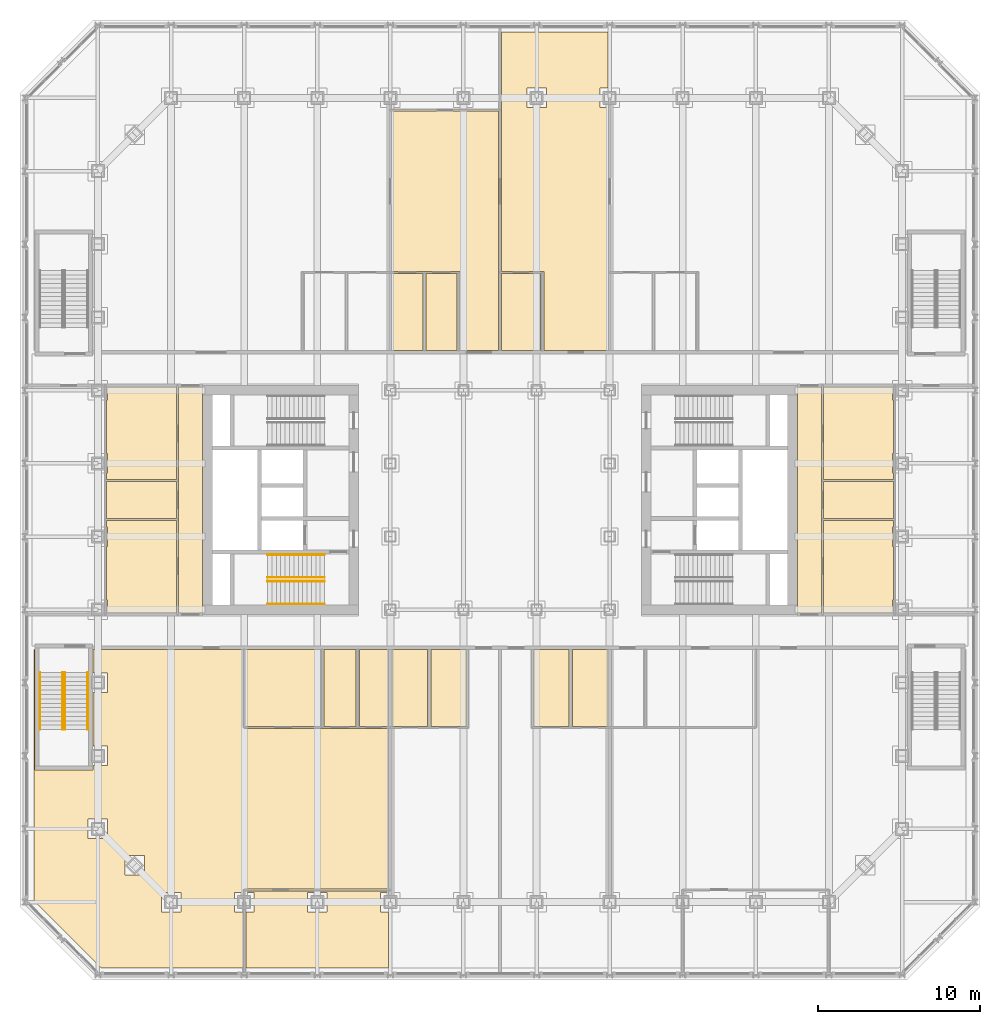
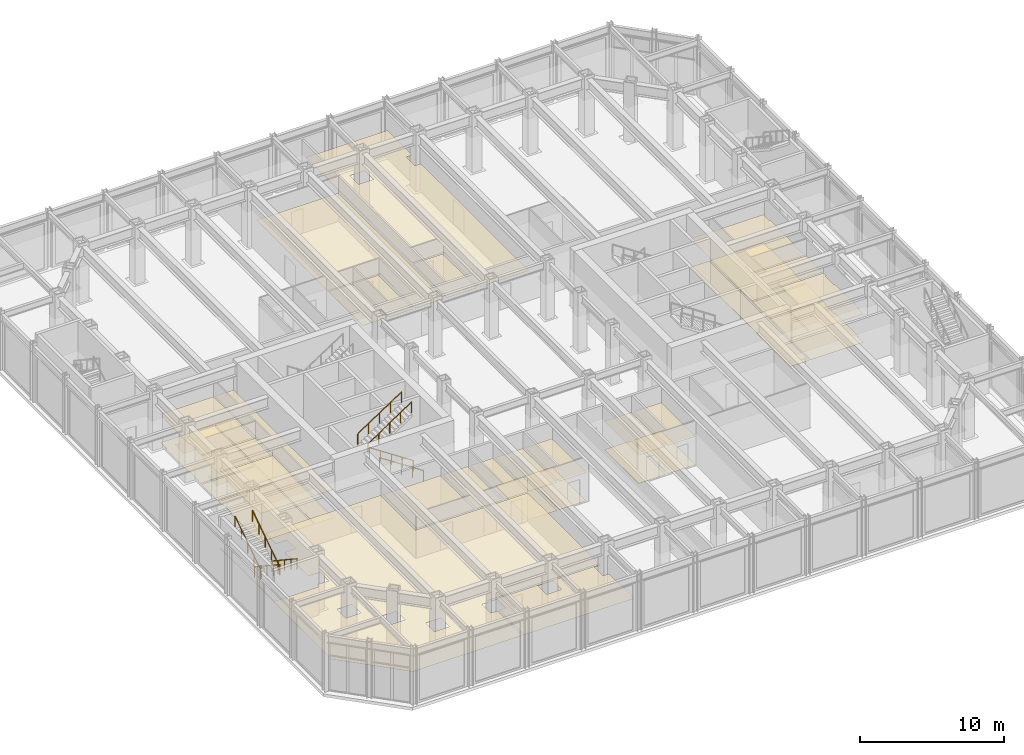
# One storey, part 17 of 19: 8 railings, 3 coverings.
"""IFC4 building model written with IfcOpenShell, lengths in metres."""

from ifc_helpers import new_model, si_unit, direction, frame, origin, origin_2d, place, context, subcontext, project, spatial, line, indexed_curve, circle, outline, extrude, material, layer, layer_set, type_object, element, save


model = new_model("IFC4")

# Units and contexts
model_context = context("Model", 3, precision=1e-05, world=origin(), true_north=direction((0.0, 1.0)))
body_context = subcontext(model_context, "Body", "Model", "MODEL_VIEW")
ifc_project = project(units=[si_unit("LENGTHUNIT", "METRE"), si_unit("AREAUNIT", "SQUARE_METRE"), si_unit("VOLUMEUNIT", "CUBIC_METRE"), si_unit("PLANEANGLEUNIT", "RADIAN"), si_unit("MASSUNIT", "GRAM", prefix="KILO")], contexts=[model_context])

# Site, building, storey
site_placement = place(None, origin())
site = spatial("IfcSite", under=ifc_project, at=site_placement, CompositionType="ELEMENT")
building_placement = place(site_placement, origin())
building = spatial("IfcBuilding", under=site, at=building_placement, Name="Msasa Ring Tower", CompositionType="ELEMENT")
storey_placement = place(building_placement, frame((0.0, 0.0, 11.0)))
storey = spatial("IfcBuildingStorey", under=building, at=storey_placement, Name="L02", CompositionType="ELEMENT", Elevation=11.0)

# Coverings
ifc_material_1 = material(Name="Moisture-resistant gypsum plasterboard on a steel suspension grid", Category="steel")
ifc_layer_1 = layer(ifc_material_1, 0.014892578125)
ifc_layer_set_1 = layer_set([ifc_layer_1], Name="C2 MOISTURE-RESISTANT PLASTERBOARD CEILING 15")
covering_type_1 = type_object("IfcCoveringType", Name="C2 MOISTURE-RESISTANT PLASTERBOARD CEILING 15", PredefinedType="CEILING", material=ifc_layer_set_1)
covering_1_placement = place(storey_placement, frame((0.0, 0.0, 2.39990234375)))
element("IfcCovering", 1, at=covering_1_placement, inside=storey, type_object=covering_type_1, Name="Moisture-Resistant Plasterboard Ceiling 15 L02", PredefinedType="CEILING", context=body_context, shape_type="SweptSolid", body=[
    extrude(outline(indexed_curve([(-24.239501953125, -2.8505859375), (-24.1494140625, -2.8505859375), (-24.1494140625, -1.6494140625), (-24.239501953125, -1.6494140625), (-24.239501953125, -1.255615234375), (-19.905517578125, -1.255615234375), (-19.905517578125, -6.949462890625), (-24.1494140625, -6.949462890625), (-24.1494140625, -6.1494140625), (-24.239501953125, -6.1494140625)], segments=[line(1, 2, 3, 4, 5, 6, 7, 8, 9, 10, 1)], self_intersect=False)), origin(), (0.0, 0.0, 1.0), 0.01513671875),
    extrude(outline(indexed_curve([(-24.239501953125, -1.14453125), (-24.239501953125, 1.14453125), (-19.905517578125, 1.14453125), (-19.905517578125, -1.14453125)], segments=[line(1, 2, 3, 4, 1)], self_intersect=False)), origin(), (0.0, 0.0, 1.0), 0.01513671875),
    extrude(outline(indexed_curve([(-24.239501953125, 1.6494140625), (-24.1494140625, 1.6494140625), (-24.1494140625, 2.8505859375), (-24.239501953125, 2.8505859375), (-24.239501953125, 6.1494140625), (-24.1494140625, 6.1494140625), (-24.1494140625, 6.949462890625), (-19.905517578125, 6.949462890625), (-19.905517578125, 1.255615234375), (-24.239501953125, 1.255615234375)], segments=[line(1, 2, 3, 4, 5, 6, 7, 8, 9, 10, 1)], self_intersect=False)), origin(), (0.0, 0.0, 1.0), 0.01513671875),
    extrude(outline(indexed_curve([(-19.79443359375, 6.949462890625), (-18.300537109375, 6.949462890625), (-18.300537109375, -6.949462890625), (-19.79443359375, -6.949462890625)], segments=[line(1, 2, 3, 4, 1)], self_intersect=False)), origin(), (0.0, 0.0, 1.0), 0.01513671875),
    extrude(outline(indexed_curve([(-6.6494140625, -13.939453125), (-6.6494140625, -9.200439453125), (-4.450439453125, -9.200439453125), (-4.450439453125, -13.939453125)], segments=[line(1, 2, 3, 4, 1)], self_intersect=False)), origin(), (0.0, 0.0, 1.0), 0.01513671875),
    extrude(outline(indexed_curve([(-4.24951171875, -9.200439453125), (-2.1005859375, -9.200439453125), (-2.1005859375, -13.939453125), (-4.24951171875, -13.939453125)], segments=[line(1, 2, 3, 4, 1)], self_intersect=False)), origin(), (0.0, 0.0, 1.0), 0.01513671875),
    extrude(outline(indexed_curve([(2.1005859375, -13.939453125), (2.1005859375, -9.200439453125), (4.24951171875, -9.200439453125), (4.24951171875, -13.939453125)], segments=[line(1, 2, 3, 4, 1)], self_intersect=False)), origin(), (0.0, 0.0, 1.0), 0.01513671875),
    extrude(outline(indexed_curve([(4.450439453125, -9.200439453125), (6.6494140625, -9.200439453125), (6.6494140625, -13.939453125), (4.450439453125, -13.939453125)], segments=[line(1, 2, 3, 4, 1)], self_intersect=False)), origin(), (0.0, 0.0, 1.0), 0.01513671875),
    extrude(outline(indexed_curve([(18.300537109375, -6.949462890625), (18.300537109375, 6.949462890625), (19.79443359375, 6.949462890625), (19.79443359375, -6.949462890625)], segments=[line(1, 2, 3, 4, 1)], self_intersect=False)), origin(), (0.0, 0.0, 1.0), 0.01513671875),
    extrude(outline(indexed_curve([(19.905517578125, -1.255615234375), (24.239501953125, -1.255615234375), (24.239501953125, -1.6494140625), (24.1494140625, -1.6494140625), (24.1494140625, -2.8505859375), (24.239501953125, -2.8505859375), (24.239501953125, -6.1494140625), (24.1494140625, -6.1494140625), (24.1494140625, -6.949462890625), (19.905517578125, -6.949462890625)], segments=[line(1, 2, 3, 4, 5, 6, 7, 8, 9, 10, 1)], self_intersect=False)), origin(), (0.0, 0.0, 1.0), 0.01513671875),
    extrude(outline(indexed_curve([(19.905517578125, 1.14453125), (24.239501953125, 1.14453125), (24.239501953125, -1.14453125), (19.905517578125, -1.14453125)], segments=[line(1, 2, 3, 4, 1)], self_intersect=False)), origin(), (0.0, 0.0, 1.0), 0.01513671875),
    extrude(outline(indexed_curve([(19.905517578125, 6.949462890625), (24.1494140625, 6.949462890625), (24.1494140625, 6.1494140625), (24.239501953125, 6.1494140625), (24.239501953125, 2.8505859375), (24.1494140625, 2.8505859375), (24.1494140625, 1.6494140625), (24.239501953125, 1.6494140625), (24.239501953125, 1.255615234375), (19.905517578125, 1.255615234375)], segments=[line(1, 2, 3, 4, 5, 6, 7, 8, 9, 10, 1)], self_intersect=False)), origin(), (0.0, 0.0, 1.0), 0.01513671875),
])
ifc_material_2 = material(Name="Perforated aluminium ceiling pans on a steel grid", Category="steel")
ifc_layer_2 = layer(ifc_material_2, 0.02490234375)
ifc_layer_set_2 = layer_set([ifc_layer_2], Name="C4 PERFORATED METAL PAN CEILING 25")
covering_type_2 = type_object("IfcCoveringType", Name="C4 PERFORATED METAL PAN CEILING 25", PredefinedType="CEILING", material=ifc_layer_set_2)
covering_2_placement = place(storey_placement, frame((0.0, 0.0, 2.39990234375)))
element("IfcCovering", 2, at=covering_2_placement, inside=storey, type_object=covering_type_2, Name="Perforated Metal Pan Ceiling 25 L02", PredefinedType="CEILING", context=body_context, shape_type="SweptSolid", body=[
    extrude(outline(indexed_curve([(-25.069580078125, -16.3505859375), (-24.1494140625, -16.3505859375), (-24.1494140625, -15.1494140625), (-25.069580078125, -15.1494140625), (-25.069580078125, -11.8505859375), (-24.1494140625, -11.8505859375), (-24.1494140625, -10.6494140625), (-25.069580078125, -10.6494140625), (-25.069580078125, -9.200439453125), (-15.8505859375, -9.200439453125), (-15.8505859375, -14.060546875), (-6.8505859375, -14.060546875), (-6.8505859375, -23.939453125), (-15.810546875, -23.939453125), (-15.810546875, -24.1494140625), (-16.3505859375, -24.1494140625), (-16.3505859375, -25.3505859375), (-15.810546875, -25.3505859375), (-15.810546875, -28.799560546875), (-24.5634765625, -28.799560546875), (-28.699462890625, -24.663330078125), (-28.699462890625, -9.200439453125), (-28.630615234375, -9.200439453125), (-28.630615234375, -16.630615234375), (-25.069580078125, -16.630615234375)], segments=[line(1, 2, 3, 4, 5, 6, 7, 8, 9, 10, 11, 12, 13, 14, 15, 16, 17, 18, 19, 20, 21, 22, 23, 24, 25, 1)], self_intersect=False), holes=[indexed_curve([(-20.8505859375, -24.1494140625), (-20.8505859375, -25.3505859375), (-19.6494140625, -25.3505859375), (-19.6494140625, -24.1494140625)], segments=[line(1, 2, 3, 4, 1)], self_intersect=False), indexed_curve([(-23.1005859375, -21.8994140625), (-23.1005859375, -23.1005859375), (-21.8994140625, -23.1005859375), (-21.8994140625, -21.8994140625)], segments=[line(1, 2, 3, 4, 1)], self_intersect=False), indexed_curve([(-24.1494140625, -19.6494140625), (-25.3505859375, -19.6494140625), (-25.3505859375, -20.8505859375), (-24.1494140625, -20.8505859375)], segments=[line(1, 2, 3, 4, 1)], self_intersect=False)]), origin(), (0.0, 0.0, 1.0), 0.025146484375),
    extrude(outline(indexed_curve([(-15.6494140625, -25.3505859375), (-15.1494140625, -25.3505859375), (-15.1494140625, -24.1494140625), (-15.6494140625, -24.1494140625), (-15.6494140625, -24.060546875), (-6.8505859375, -24.060546875), (-6.8505859375, -24.1494140625), (-7.3505859375, -24.1494140625), (-7.3505859375, -25.3505859375), (-6.8505859375, -25.3505859375), (-6.8505859375, -28.799560546875), (-15.6494140625, -28.799560546875)], segments=[line(1, 2, 3, 4, 5, 6, 7, 8, 9, 10, 11, 12, 1)], self_intersect=False), holes=[indexed_curve([(-10.6494140625, -24.1494140625), (-11.8505859375, -24.1494140625), (-11.8505859375, -25.3505859375), (-10.6494140625, -25.3505859375)], segments=[line(1, 2, 3, 4, 1)], self_intersect=False)]), origin(), (0.0, 0.0, 1.0), 0.025146484375),
    extrude(outline(indexed_curve([(-15.6494140625, -13.939453125), (-15.6494140625, -9.200439453125), (-11.050537109375, -9.200439453125), (-11.050537109375, -13.939453125)], segments=[line(1, 2, 3, 4, 1)], self_intersect=False)), origin(), (0.0, 0.0, 1.0), 0.025146484375),
    extrude(outline(indexed_curve([(-10.849609375, -9.200439453125), (-8.8505859375, -9.200439453125), (-8.8505859375, -13.939453125), (-10.849609375, -13.939453125)], segments=[line(1, 2, 3, 4, 1)], self_intersect=False)), origin(), (0.0, 0.0, 1.0), 0.025146484375),
    extrude(outline(indexed_curve([(-8.6494140625, -9.200439453125), (-6.8505859375, -9.200439453125), (-6.8505859375, -13.939453125), (-8.6494140625, -13.939453125)], segments=[line(1, 2, 3, 4, 1)], self_intersect=False)), origin(), (0.0, 0.0, 1.0), 0.025146484375),
    extrude(outline(indexed_curve([(-0.1005859375, 9.200439453125), (-2.449462890625, 9.200439453125), (-2.449462890625, 14.060546875), (-6.6494140625, 14.060546875), (-6.6494140625, 23.939453125), (-0.1005859375, 23.939453125)], segments=[line(1, 2, 3, 4, 5, 6, 1)], self_intersect=False)), origin(), (0.0, 0.0, 1.0), 0.025146484375),
    extrude(outline(indexed_curve([(-6.6494140625, 9.200439453125), (-6.6494140625, 13.939453125), (-4.75048828125, 13.939453125), (-4.75048828125, 9.200439453125)], segments=[line(1, 2, 3, 4, 1)], self_intersect=False)), origin(), (0.0, 0.0, 1.0), 0.025146484375),
    extrude(outline(indexed_curve([(-4.549560546875, 9.200439453125), (-4.549560546875, 13.939453125), (-2.650390625, 13.939453125), (-2.650390625, 9.200439453125)], segments=[line(1, 2, 3, 4, 1)], self_intersect=False)), origin(), (0.0, 0.0, 1.0), 0.025146484375),
    extrude(outline(indexed_curve([(6.6494140625, 28.799560546875), (6.6494140625, 25.3505859375), (6.1494140625, 25.3505859375), (6.1494140625, 24.1494140625), (6.6494140625, 24.1494140625), (6.6494140625, 9.200439453125), (2.700439453125, 9.200439453125), (2.700439453125, 14.060546875), (0.1005859375, 14.060546875), (0.1005859375, 28.799560546875)], segments=[line(1, 2, 3, 4, 5, 6, 7, 8, 9, 10, 1)], self_intersect=False), holes=[indexed_curve([(2.8505859375, 25.3505859375), (1.6494140625, 25.3505859375), (1.6494140625, 24.1494140625), (2.8505859375, 24.1494140625)], segments=[line(1, 2, 3, 4, 1)], self_intersect=False)]), origin(), (0.0, 0.0, 1.0), 0.025146484375),
    extrude(outline(indexed_curve([(0.1005859375, 9.200439453125), (0.1005859375, 13.939453125), (2.49951171875, 13.939453125), (2.49951171875, 9.200439453125)], segments=[line(1, 2, 3, 4, 1)], self_intersect=False)), origin(), (0.0, 0.0, 1.0), 0.025146484375),
])
ifc_material_3 = material(Name="Porcelain floor tiles in adhesive", Category="ceramic")
ifc_layer_3 = layer(ifc_material_3, 0.010009765625)
ifc_layer_set_3 = layer_set([ifc_layer_3], Name="F4 PORCELAIN TILE ON ADHESIVE 10")
covering_type_3 = type_object("IfcCoveringType", Name="F4 PORCELAIN TILE ON ADHESIVE 10", PredefinedType="FLOORING", material=ifc_layer_set_3)
covering_3_placement = place(storey_placement, origin())
element("IfcCovering", 3, at=covering_3_placement, inside=storey, type_object=covering_type_3, Name="Porcelain Tile On Adhesive 10 L02", PredefinedType="FLOORING", context=body_context, shape_type="SweptSolid", body=[
    extrude(outline(indexed_curve([(-19.905517578125, -1.255615234375), (-19.905517578125, -6.949462890625), (-24.1494140625, -6.949462890625), (-24.1494140625, -6.1494140625), (-24.239501953125, -6.1494140625), (-24.239501953125, -2.8505859375), (-24.1494140625, -2.8505859375), (-24.1494140625, -1.6494140625), (-24.239501953125, -1.6494140625), (-24.239501953125, -1.255615234375)], segments=[line(1, 2, 3, 4, 5, 6, 7, 8, 9, 10, 1)], self_intersect=False)), origin(), (0.0, 0.0, 1.0), 0.010009765625),
    extrude(outline(indexed_curve([(-24.239501953125, 1.14453125), (-19.905517578125, 1.14453125), (-19.905517578125, -1.14453125), (-24.239501953125, -1.14453125)], segments=[line(1, 2, 3, 4, 1)], self_intersect=False)), origin(), (0.0, 0.0, 1.0), 0.010009765625),
    extrude(outline(indexed_curve([(-19.905517578125, 1.255615234375), (-24.239501953125, 1.255615234375), (-24.239501953125, 1.6494140625), (-24.1494140625, 1.6494140625), (-24.1494140625, 2.8505859375), (-24.239501953125, 2.8505859375), (-24.239501953125, 6.1494140625), (-24.1494140625, 6.1494140625), (-24.1494140625, 6.949462890625), (-19.905517578125, 6.949462890625)], segments=[line(1, 2, 3, 4, 5, 6, 7, 8, 9, 10, 1)], self_intersect=False)), origin(), (0.0, 0.0, 1.0), 0.010009765625),
    extrude(outline(indexed_curve([(-18.300537109375, 6.949462890625), (-18.300537109375, -6.949462890625), (-19.79443359375, -6.949462890625), (-19.79443359375, 6.949462890625)], segments=[line(1, 2, 3, 4, 1)], self_intersect=False)), origin(), (0.0, 0.0, 1.0), 0.010009765625),
    extrude(outline(indexed_curve([(-4.450439453125, -9.200439453125), (-4.450439453125, -13.939453125), (-6.6494140625, -13.939453125), (-6.6494140625, -9.200439453125)], segments=[line(1, 2, 3, 4, 1)], self_intersect=False)), origin(), (0.0, 0.0, 1.0), 0.010009765625),
    extrude(outline(indexed_curve([(-2.1005859375, -9.200439453125), (-2.1005859375, -13.939453125), (-4.24951171875, -13.939453125), (-4.24951171875, -9.200439453125)], segments=[line(1, 2, 3, 4, 1)], self_intersect=False)), origin(), (0.0, 0.0, 1.0), 0.010009765625),
    extrude(outline(indexed_curve([(2.1005859375, -9.200439453125), (4.24951171875, -9.200439453125), (4.24951171875, -13.939453125), (2.1005859375, -13.939453125)], segments=[line(1, 2, 3, 4, 1)], self_intersect=False)), origin(), (0.0, 0.0, 1.0), 0.010009765625),
    extrude(outline(indexed_curve([(6.6494140625, -9.200439453125), (6.6494140625, -13.939453125), (4.450439453125, -13.939453125), (4.450439453125, -9.200439453125)], segments=[line(1, 2, 3, 4, 1)], self_intersect=False)), origin(), (0.0, 0.0, 1.0), 0.010009765625),
    extrude(outline(indexed_curve([(18.300537109375, -6.949462890625), (18.300537109375, 6.949462890625), (19.79443359375, 6.949462890625), (19.79443359375, -6.949462890625)], segments=[line(1, 2, 3, 4, 1)], self_intersect=False)), origin(), (0.0, 0.0, 1.0), 0.010009765625),
    extrude(outline(indexed_curve([(24.239501953125, -1.255615234375), (24.239501953125, -1.6494140625), (24.1494140625, -1.6494140625), (24.1494140625, -2.8505859375), (24.239501953125, -2.8505859375), (24.239501953125, -6.1494140625), (24.1494140625, -6.1494140625), (24.1494140625, -6.949462890625), (19.905517578125, -6.949462890625), (19.905517578125, -1.255615234375)], segments=[line(1, 2, 3, 4, 5, 6, 7, 8, 9, 10, 1)], self_intersect=False)), origin(), (0.0, 0.0, 1.0), 0.010009765625),
    extrude(outline(indexed_curve([(24.239501953125, 1.14453125), (24.239501953125, -1.14453125), (19.905517578125, -1.14453125), (19.905517578125, 1.14453125)], segments=[line(1, 2, 3, 4, 1)], self_intersect=False)), origin(), (0.0, 0.0, 1.0), 0.010009765625),
    extrude(outline(indexed_curve([(24.239501953125, 2.8505859375), (24.1494140625, 2.8505859375), (24.1494140625, 1.6494140625), (24.239501953125, 1.6494140625), (24.239501953125, 1.255615234375), (19.905517578125, 1.255615234375), (19.905517578125, 6.949462890625), (24.1494140625, 6.949462890625), (24.1494140625, 6.1494140625), (24.239501953125, 6.1494140625)], segments=[line(1, 2, 3, 4, 5, 6, 7, 8, 9, 10, 1)], self_intersect=False)), origin(), (0.0, 0.0, 1.0), 0.010009765625),
])

# Railings
ifc_material_4 = material(Name="Stainless steel", Category="steel")
railing_type = type_object("IfcRailingType", Name="HR1 HANDRAIL 900", PredefinedType="HANDRAIL", material=ifc_material_4)
for number, where, name in (
    (4, (-10.800048828125, -6.39990234375, 0.178466796875), "Handrail stair SWA L02 1"),
    (5, (-10.800048828125, -5.0, 0.178466796875), "Handrail stair SWA L02 2"),
):
    element("IfcRailing", number, at=place(storey_placement, frame(where)), inside=storey, type_object=railing_type, Name=name, PredefinedType="HANDRAIL", context=body_context, shape_type="SweptSolid", body=[
        extrude(circle(Radius=0.02392578125, at=origin_2d()), frame((0.0, 0.0, 0.8759765625), z_axis=(-0.834070780157, 0.0, 0.551657442339), x_axis=(0.0, -1.0, 0.0)), (0.0, 0.0, 1.0), 4.208251953125),
        extrude(circle(Radius=0.02099609375, at=origin_2d()), origin(), (0.0, 0.0, 1.0), 0.851806640625),
        extrude(circle(Radius=0.02099609375, at=origin_2d()), frame((-0.87744140625, 0.0, 0.580322265625)), (0.0, 0.0, 1.0), 0.851806640625),
        extrude(circle(Radius=0.02099609375, at=origin_2d()), frame((-1.7548828125, 0.0, 1.16064453125)), (0.0, 0.0, 1.0), 0.851806640625),
        extrude(circle(Radius=0.02099609375, at=origin_2d()), frame((-2.632568359375, 0.0, 1.7412109375)), (0.0, 0.0, 1.0), 0.851806640625),
        extrude(circle(Radius=0.02099609375, at=origin_2d()), frame((-3.510009765625, 0.0, 2.321533203125)), (0.0, 0.0, 1.0), 0.851806640625),
    ])
for number, where, name in (
    (6, (-14.31005859375, -4.77490234375, 2.678466796875), "Handrail stair SWA L02 3"),
    (7, (-14.31005859375, -3.375, 2.678466796875), "Handrail stair SWA L02 4"),
):
    element("IfcRailing", number, at=place(storey_placement, frame(where)), inside=storey, type_object=railing_type, Name=name, PredefinedType="HANDRAIL", context=body_context, shape_type="SweptSolid", body=[
        extrude(circle(Radius=0.02392578125, at=origin_2d()), frame((0.0, 0.0, 0.8759765625), z_axis=(0.834070780157, 0.0, 0.551657442339), x_axis=(0.0, 1.0, 0.0)), (0.0, 0.0, 1.0), 4.208251953125),
        extrude(circle(Radius=0.02099609375, at=origin_2d()), origin(), (0.0, 0.0, 1.0), 0.851806640625),
        extrude(circle(Radius=0.02099609375, at=origin_2d()), frame((0.87744140625, 0.0, 0.580322265625)), (0.0, 0.0, 1.0), 0.851806640625),
        extrude(circle(Radius=0.02099609375, at=origin_2d()), frame((1.7548828125, 0.0, 1.16064453125)), (0.0, 0.0, 1.0), 0.851806640625),
        extrude(circle(Radius=0.02099609375, at=origin_2d()), frame((2.632568359375, 0.0, 1.7412109375)), (0.0, 0.0, 1.0), 0.851806640625),
        extrude(circle(Radius=0.02099609375, at=origin_2d()), frame((3.510009765625, 0.0, 2.321533203125)), (0.0, 0.0, 1.0), 0.851806640625),
    ])
for number, where, name in (
    (8, (-26.77490234375, -10.625, 0.178466796875), "Handrail podium stair PWS L02 1"),
    (9, (-25.375, -10.625, 0.178466796875), "Handrail podium stair PWS L02 2"),
):
    element("IfcRailing", number, at=place(storey_placement, frame(where)), inside=storey, type_object=railing_type, Name=name, PredefinedType="HANDRAIL", context=body_context, shape_type="SweptSolid", body=[
        extrude(circle(Radius=0.02392578125, at=origin_2d()), frame((0.0, 0.0, 0.8759765625), z_axis=(0.0, -0.834070780157, 0.551657442339), x_axis=(1.0, 0.0, 0.0)), (0.0, 0.0, 1.0), 4.208251953125),
        extrude(circle(Radius=0.02099609375, at=origin_2d()), origin(), (0.0, 0.0, 1.0), 0.851806640625),
        extrude(circle(Radius=0.02099609375, at=origin_2d()), frame((0.0, -0.87744140625, 0.580322265625)), (0.0, 0.0, 1.0), 0.851806640625),
        extrude(circle(Radius=0.02099609375, at=origin_2d()), frame((0.0, -1.7548828125, 1.16064453125)), (0.0, 0.0, 1.0), 0.851806640625),
        extrude(circle(Radius=0.02099609375, at=origin_2d()), frame((0.0, -2.632568359375, 1.7412109375)), (0.0, 0.0, 1.0), 0.851806640625),
        extrude(circle(Radius=0.02099609375, at=origin_2d()), frame((0.0, -3.510009765625, 2.321533203125)), (0.0, 0.0, 1.0), 0.851806640625),
    ])
for number, where, name in (
    (10, (-28.324951171875, -14.135009765625, 2.678466796875), "Handrail podium stair PWS L02 3"),
    (11, (-26.925048828125, -14.135009765625, 2.678466796875), "Handrail podium stair PWS L02 4"),
):
    element("IfcRailing", number, at=place(storey_placement, frame(where)), inside=storey, type_object=railing_type, Name=name, PredefinedType="HANDRAIL", context=body_context, shape_type="SweptSolid", body=[
        extrude(circle(Radius=0.02392578125, at=origin_2d()), frame((0.0, 0.0, 0.8759765625), z_axis=(0.0, 0.834070780157, 0.551657442339), x_axis=(-1.0, 0.0, 0.0)), (0.0, 0.0, 1.0), 4.208251953125),
        extrude(circle(Radius=0.02099609375, at=origin_2d()), origin(), (0.0, 0.0, 1.0), 0.851806640625),
        extrude(circle(Radius=0.02099609375, at=origin_2d()), frame((0.0, 0.87744140625, 0.580322265625)), (0.0, 0.0, 1.0), 0.851806640625),
        extrude(circle(Radius=0.02099609375, at=origin_2d()), frame((0.0, 1.7548828125, 1.16064453125)), (0.0, 0.0, 1.0), 0.851806640625),
        extrude(circle(Radius=0.02099609375, at=origin_2d()), frame((0.0, 2.632568359375, 1.7412109375)), (0.0, 0.0, 1.0), 0.851806640625),
        extrude(circle(Radius=0.02099609375, at=origin_2d()), frame((0.0, 3.510009765625, 2.321533203125)), (0.0, 0.0, 1.0), 0.851806640625),
    ])

save(model, "model.ifc")
